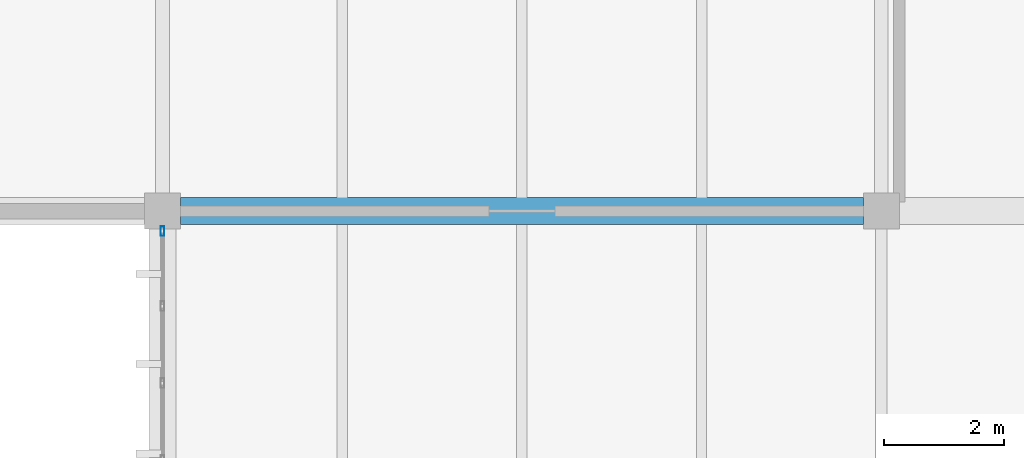
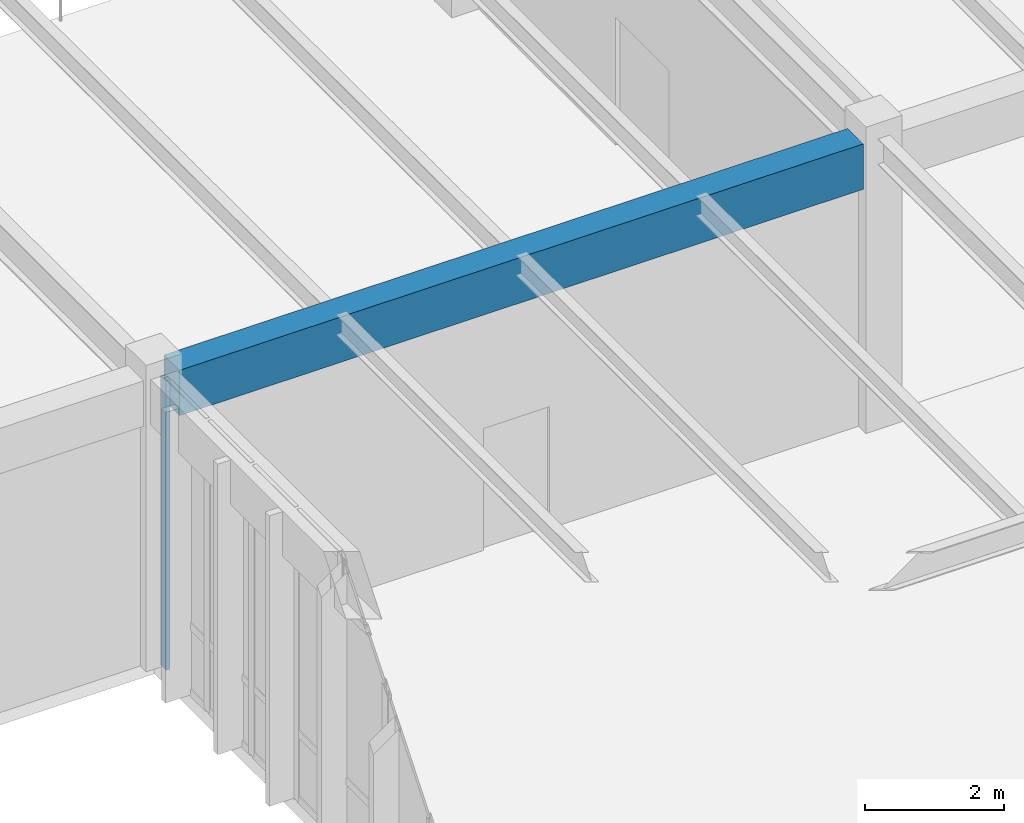
# One storey, part 124 of 188: 1 beam, 1 member, 1 element without a shape of its own.
"""IFC4 building model written with IfcOpenShell, lengths in metres."""

from ifc_helpers import new_model, si_unit, direction, frame, origin, origin_2d, place, context, subcontext, project, spatial, rectangle, hollow_rectangle, extrude, material, layer, layer_set, material_profile, profile_set, type_object, element, aggregate, save


model = new_model("IFC4")

# Units and contexts
model_context = context("Model", 3, precision=1e-05, world=origin(), true_north=direction((0.0, 1.0)))
body_context = subcontext(model_context, "Body", "Model", "MODEL_VIEW")
ifc_project = project(units=[si_unit("LENGTHUNIT", "METRE"), si_unit("AREAUNIT", "SQUARE_METRE"), si_unit("VOLUMEUNIT", "CUBIC_METRE"), si_unit("PLANEANGLEUNIT", "RADIAN"), si_unit("MASSUNIT", "GRAM", prefix="KILO")], contexts=[model_context])

# Site, building, storey
site_placement = place(None, origin())
site = spatial("IfcSite", under=ifc_project, at=site_placement, CompositionType="ELEMENT")
building_placement = place(site_placement, origin())
building = spatial("IfcBuilding", under=site, at=building_placement, Name="Pandanus Reach Market Hall", CompositionType="ELEMENT")
storey_placement = place(building_placement, origin())
storey = spatial("IfcBuildingStorey", under=building, at=storey_placement, Name="L00", CompositionType="ELEMENT", Elevation=0.0)

# Beam
ifc_material_1 = material(Name="Concrete N40 (40 MPa)", Category="concrete")
ifc_material_profile_1 = material_profile(ifc_material_1, rectangle(XDim=0.449951171875, YDim=0.800048828125, at=origin_2d()), Name="RC450x800", Category="LoadBearing")
ifc_profile_set_1 = profile_set([ifc_material_profile_1], Name="Concrete N40 (40 MPa)")
beam_type = type_object("IfcBeamType", Name="BM-RC450-E", PredefinedType="SPANDREL", material=ifc_profile_set_1)
beam_placement = place(storey_placement, frame((144.298095703125, 96.0, 4.659912109375), z_axis=(1.0, 0.0, 0.0), x_axis=(0.0, 1.0, 0.0)))
element("IfcBeam", 1, at=beam_placement, inside=storey, type_object=beam_type, Name="Framing beam BM-RC450-E L00.185", PredefinedType="SPANDREL", context=body_context, shape_type="SweptSolid", body=[
    extrude(rectangle(XDim=0.449951171875, YDim=0.800048828125, at=origin_2d()), origin(), (0.0, 0.0, 1.0), 11.40380859375),
])

# Curtain wall, member
ifc_material_2 = material(Name="Bronze anodised aluminium and low-E glass", Category="aluminium")
ifc_layer = layer(ifc_material_2, 0.159912109375, Name="CW-26")
ifc_layer_set = layer_set([ifc_layer], Name="Bronze anodised aluminium and low-E glass")
curtain_wall_type = type_object("IfcCurtainWallType", Name="CW-26", PredefinedType="NOTDEFINED", material=ifc_layer_set)
curtain_wall_placement = place(storey_placement, origin())
curtain_wall = element("IfcCurtainWall", 2, at=curtain_wall_placement, inside=storey, type_object=curtain_wall_type, Name="Glazed curtain wall CW-26 CW-0081", PredefinedType="NOTDEFINED")
ifc_material_3 = material(Name="Bronze anodised aluminium", Category="aluminium")
ifc_material_profile_2 = material_profile(ifc_material_3, hollow_rectangle(XDim=0.06494140625, YDim=0.159912109375, WallThickness=0.00390625, at=origin_2d()), Name="ALU65x160", Category="LoadBearing")
ifc_profile_set_2 = profile_set([ifc_material_profile_2], Name="Bronze anodised aluminium")
member_type = type_object("IfcMemberType", Name="CW-M1", PredefinedType="MULLION", material=ifc_profile_set_2)
member_placement = place(storey_placement, frame((144.0, 95.66748046875, 0.0), z_axis=(0.0, 0.0, 1.0), x_axis=(-1.0, 0.0, 0.0)))
member = element("IfcMember", 3, at=member_placement, type_object=member_type, Name="CW-26 mullion 8", PredefinedType="MULLION", context=body_context, shape_type="SweptSolid", body=[
    extrude(hollow_rectangle(XDim=0.06494140625, YDim=0.159912109375, WallThickness=0.00390625, at=origin_2d()), origin(), (0.0, 0.0, 1.0), 5.10009765625),
])
aggregate(curtain_wall, [member])

save(model, "model.ifc")
